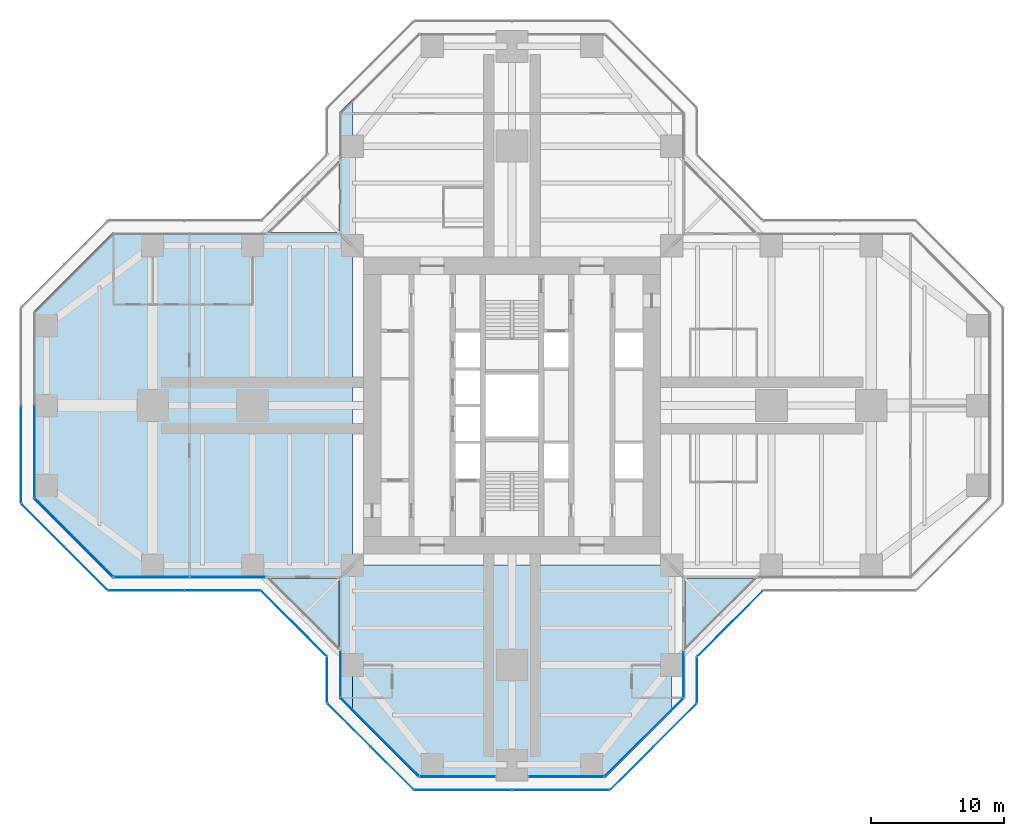
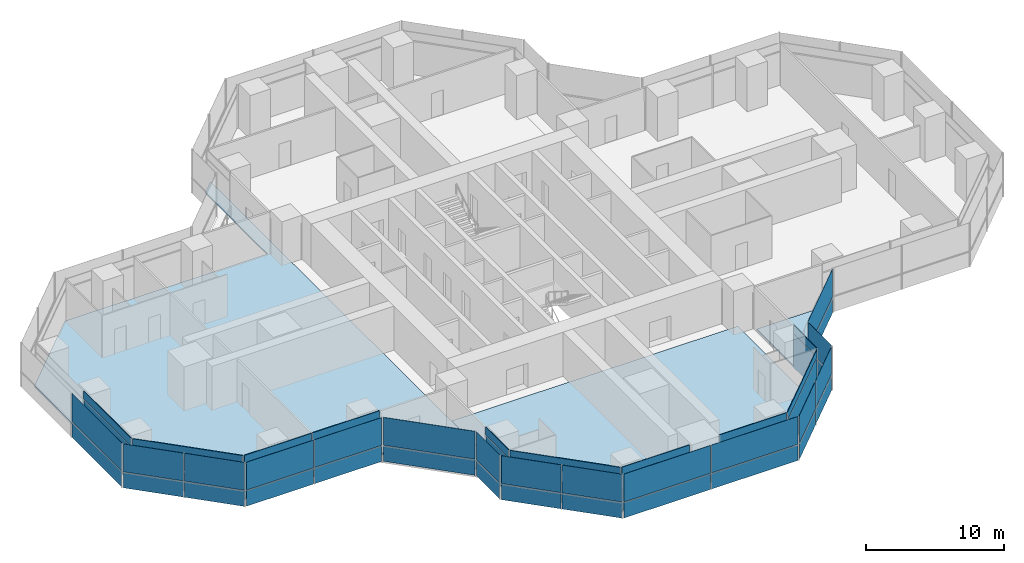
# One storey, part 12 of 19: 50 plates, 4 slabs, 19 elements without a shape of their own.
"""IFC4 building model written with IfcOpenShell, lengths in metres."""

from ifc_helpers import new_model, si_unit, direction, frame, origin, origin_2d, place, context, subcontext, project, spatial, polyline, rectangle, outline, extrude, material, layer, layer_set, type_object, element, aggregate, save


model = new_model("IFC4")

# Units and contexts
model_context = context("Model", 3, precision=1e-05, world=origin(), true_north=direction((0.0, 1.0)))
body_context = subcontext(model_context, "Body", "Model", "MODEL_VIEW")
ifc_project = project(units=[si_unit("LENGTHUNIT", "METRE"), si_unit("AREAUNIT", "SQUARE_METRE"), si_unit("VOLUMEUNIT", "CUBIC_METRE"), si_unit("PLANEANGLEUNIT", "RADIAN"), si_unit("MASSUNIT", "GRAM", prefix="KILO")], contexts=[model_context])

# Site, building, storey
site_placement = place(None, origin())
site = spatial("IfcSite", under=ifc_project, at=site_placement, CompositionType="ELEMENT")
building_placement = place(site_placement, origin())
building = spatial("IfcBuilding", under=site, at=building_placement, Name="Mizan Broadcast Tower", CompositionType="ELEMENT")
storey_placement = place(building_placement, frame((0.0, 0.0, 167.10009765625)))
storey = spatial("IfcBuildingStorey", under=building, at=storey_placement, Name="L38", CompositionType="ELEMENT", Elevation=167.10009765625)

# Slabs
ifc_material_1 = material(Name="Concrete C32/40", Category="concrete")
ifc_layer_1 = layer(ifc_material_1, 0.1298828125)
ifc_layer_set_1 = layer_set([ifc_layer_1], Name="Concrete C32/40")
slab_type_1 = type_object("IfcSlabType", Name="COMPOSITE DECK SLAB 130", PredefinedType="FLOOR", material=ifc_layer_set_1)
slab_1_placement = place(storey_placement, frame((0.0, 0.0, -0.130126953125)))
element("IfcSlab", 1, at=slab_1_placement, inside=storey, type_object=slab_type_1, Name="Floor slab L38 west arm", PredefinedType="FLOOR", context=body_context, shape_type="SweptSolid", body=[
    extrude(outline(polyline([(-13.0, -22.0), (-12.0, -23.0), (-12.0, 23.0), (-13.0, 22.0), (-13.0, 13.0), (-30.0, 13.0), (-36.0, 7.0), (-36.0, -7.0), (-30.0, -13.0), (-13.0, -13.0), (-13.0, -22.0)])), origin(), (0.0, 0.0, 1.0), 0.130126953125),
])
slab_2_placement = place(storey_placement, frame((0.0, 0.0, -0.130126953125)))
element("IfcSlab", 2, at=slab_2_placement, inside=storey, type_object=slab_type_1, Name="Floor slab L38 south arm", PredefinedType="FLOOR", context=body_context, shape_type="SweptSolid", body=[
    extrude(outline(polyline([(7.0, -28.0), (12.0, -23.0), (12.0, -12.0), (-12.0, -12.0), (-12.0, -23.0), (-7.0, -28.0), (7.0, -28.0)])), origin(), (0.0, 0.0, 1.0), 0.130126953125),
])

# Curtain wall, plate
ifc_material_2 = material(Name="Aluminium framed glazing", Category="aluminium")
curtain_wall_type_1 = type_object("IfcCurtainWallType", Name="INNER SKIN MID ZONE", PredefinedType="USERDEFINED", material=ifc_material_2)
curtain_wall_1_placement = place(storey_placement, origin())
curtain_wall_1 = element("IfcCurtainWall", 3, at=curtain_wall_1_placement, inside=storey, type_object=curtain_wall_type_1, Name="Inner skin mid zone L38 W end", ObjectType="INNER SKIN MID ZONE", PredefinedType="USERDEFINED")
ifc_material_3 = material(Name="Double glazing, clear low-e", Category="glass")
ifc_layer_2 = layer(ifc_material_3, 0.028076171875)
ifc_layer_set_2 = layer_set([ifc_layer_2], Name="Double glazing, clear low-e")
plate_type_1 = type_object("IfcPlateType", Name="INNER SKIN GLAZING UNIT", PredefinedType="CURTAIN_PANEL", material=ifc_layer_set_2)
plate_1_placement = place(storey_placement, frame((-35.89990234375, -3.46435546875, 0.0), z_axis=(0.0, 0.0, 1.0), x_axis=(0.0, -1.0, 0.0)))
plate_1 = element("IfcPlate", 4, at=plate_1_placement, type_object=plate_type_1, Name="Inner skin mid zone L38 W end panel 2.1", PredefinedType="CURTAIN_PANEL", context=body_context, shape_type="SweptSolid", body=[
    extrude(rectangle(XDim=6.86865234375, YDim=0.028076171875, at=origin_2d()), origin(), (0.0, 0.0, 1.0), 3.0),
])

curtain_wall_2_placement = place(storey_placement, origin())
curtain_wall_2 = element("IfcCurtainWall", 5, at=curtain_wall_2_placement, inside=storey, type_object=curtain_wall_type_1, Name="Inner skin mid zone L38 W chamfer", ObjectType="INNER SKIN MID ZONE", PredefinedType="USERDEFINED")
plate_2_placement = place(storey_placement, frame((-32.92919921875, -9.92919921875, 0.0), z_axis=(0.0, 0.0, 1.0), x_axis=(0.707106781187, -0.707106781187, 0.0)))
plate_2 = element("IfcPlate", 6, at=plate_2_placement, type_object=plate_type_1, Name="Inner skin mid zone L38 W chamfer panel 1.1", PredefinedType="CURTAIN_PANEL", context=body_context, shape_type="SweptSolid", body=[
    extrude(rectangle(XDim=8.282470703125, YDim=0.028076171875, at=origin_2d()), origin(), (0.0, 0.0, 1.0), 3.0),
])

# Curtain wall, plates
curtain_wall_3_placement = place(storey_placement, origin())
curtain_wall_3 = element("IfcCurtainWall", 7, at=curtain_wall_3_placement, inside=storey, type_object=curtain_wall_type_1, Name="Inner skin mid zone L38 W side", ObjectType="INNER SKIN MID ZONE", PredefinedType="USERDEFINED")
plate_3_placement = place(storey_placement, frame((-27.078857421875, -12.89990234375, 0.0), z_axis=(0.0, 0.0, 1.0), x_axis=(1.0, 0.0, 0.0)))
plate_3 = element("IfcPlate", 8, at=plate_3_placement, type_object=plate_type_1, Name="Inner skin mid zone L38 W side panel 1.1", PredefinedType="CURTAIN_PANEL", context=body_context, shape_type="SweptSolid", body=[
    extrude(rectangle(XDim=5.639404296875, YDim=0.028076171875, at=origin_2d()), origin(), (0.0, 0.0, 1.0), 3.0),
])
plate_4_placement = place(storey_placement, frame((-21.379638671875, -12.89990234375, 0.0), z_axis=(0.0, 0.0, 1.0), x_axis=(1.0, 0.0, 0.0)))
plate_4 = element("IfcPlate", 9, at=plate_4_placement, type_object=plate_type_1, Name="Inner skin mid zone L38 W side panel 2.1", PredefinedType="CURTAIN_PANEL", context=body_context, shape_type="SweptSolid", body=[
    extrude(rectangle(XDim=5.639404296875, YDim=0.028076171875, at=origin_2d()), origin(), (0.0, 0.0, 1.0), 3.0),
])

# Curtain wall, plate
curtain_wall_4_placement = place(storey_placement, origin())
curtain_wall_4 = element("IfcCurtainWall", 10, at=curtain_wall_4_placement, inside=storey, type_object=curtain_wall_type_1, Name="Inner skin mid zone L38 S side", ObjectType="INNER SKIN MID ZONE", PredefinedType="USERDEFINED")
plate_5_placement = place(storey_placement, frame((-12.89990234375, -20.229248046875, 0.0), z_axis=(0.0, 0.0, 1.0), x_axis=(0.0, -1.0, 0.0)))
plate_5 = element("IfcPlate", 11, at=plate_5_placement, type_object=plate_type_1, Name="Inner skin mid zone L38 S side panel 1.1", PredefinedType="CURTAIN_PANEL", context=body_context, shape_type="SweptSolid", body=[
    extrude(rectangle(XDim=3.338623046875, YDim=0.028076171875, at=origin_2d()), origin(), (0.0, 0.0, 1.0), 3.0),
])

curtain_wall_5_placement = place(storey_placement, origin())
curtain_wall_5 = element("IfcCurtainWall", 12, at=curtain_wall_5_placement, inside=storey, type_object=curtain_wall_type_1, Name="Inner skin mid zone L38 S chamfer", ObjectType="INNER SKIN MID ZONE", PredefinedType="USERDEFINED")
plate_6_placement = place(storey_placement, frame((-9.92919921875, -24.92919921875, 0.0), z_axis=(0.0, 0.0, 1.0), x_axis=(0.707106781187, -0.707106781187, 0.0)))
plate_6 = element("IfcPlate", 13, at=plate_6_placement, type_object=plate_type_1, Name="Inner skin mid zone L38 S chamfer panel 1.1", PredefinedType="CURTAIN_PANEL", context=body_context, shape_type="SweptSolid", body=[
    extrude(rectangle(XDim=8.282470703125, YDim=0.028076171875, at=origin_2d()), origin(), (0.0, 0.0, 1.0), 3.0),
])

curtain_wall_6_placement = place(storey_placement, origin())
curtain_wall_6 = element("IfcCurtainWall", 14, at=curtain_wall_6_placement, inside=storey, type_object=curtain_wall_type_1, Name="Inner skin mid zone L38 S end", ObjectType="INNER SKIN MID ZONE", PredefinedType="USERDEFINED")
plate_7_placement = place(storey_placement, frame((-4.079345703125, -27.89990234375, 0.0), z_axis=(0.0, 0.0, 1.0), x_axis=(1.0, 0.0, 0.0)))
plate_7 = element("IfcPlate", 15, at=plate_7_placement, type_object=plate_type_1, Name="Inner skin mid zone L38 S end panel 1.1", PredefinedType="CURTAIN_PANEL", context=body_context, shape_type="SweptSolid", body=[
    extrude(rectangle(XDim=5.638671875, YDim=0.028076171875, at=origin_2d()), origin(), (0.0, 0.0, 1.0), 3.0),
])

curtain_wall_7_placement = place(storey_placement, origin())
curtain_wall_7 = element("IfcCurtainWall", 16, at=curtain_wall_7_placement, inside=storey, type_object=curtain_wall_type_1, Name="Inner skin mid zone L38 S end", ObjectType="INNER SKIN MID ZONE", PredefinedType="USERDEFINED")
plate_8_placement = place(storey_placement, frame((4.079345703125, -27.89990234375, 0.0), z_axis=(0.0, 0.0, 1.0), x_axis=(1.0, 0.0, 0.0)))
plate_8 = element("IfcPlate", 17, at=plate_8_placement, type_object=plate_type_1, Name="Inner skin mid zone L38 S end panel 1.1", PredefinedType="CURTAIN_PANEL", context=body_context, shape_type="SweptSolid", body=[
    extrude(rectangle(XDim=5.638671875, YDim=0.028076171875, at=origin_2d()), origin(), (0.0, 0.0, 1.0), 3.0),
])

curtain_wall_8_placement = place(storey_placement, origin())
curtain_wall_8 = element("IfcCurtainWall", 18, at=curtain_wall_8_placement, inside=storey, type_object=curtain_wall_type_1, Name="Inner skin mid zone L38 S chamfer", ObjectType="INNER SKIN MID ZONE", PredefinedType="USERDEFINED")
plate_9_placement = place(storey_placement, frame((9.92919921875, -24.92919921875, 0.0), z_axis=(0.0, 0.0, 1.0), x_axis=(0.707106781187, 0.707106781187, 0.0)))
plate_9 = element("IfcPlate", 19, at=plate_9_placement, type_object=plate_type_1, Name="Inner skin mid zone L38 S chamfer panel 1.1", PredefinedType="CURTAIN_PANEL", context=body_context, shape_type="SweptSolid", body=[
    extrude(rectangle(XDim=8.282470703125, YDim=0.028076171875, at=origin_2d()), origin(), (0.0, 0.0, 1.0), 3.0),
])

curtain_wall_9_placement = place(storey_placement, origin())
curtain_wall_9 = element("IfcCurtainWall", 20, at=curtain_wall_9_placement, inside=storey, type_object=curtain_wall_type_1, Name="Inner skin mid zone L38 S side", ObjectType="INNER SKIN MID ZONE", PredefinedType="USERDEFINED")
plate_10_placement = place(storey_placement, frame((12.89990234375, -20.229248046875, 0.0), z_axis=(0.0, 0.0, 1.0), x_axis=(0.0, 1.0, 0.0)))
plate_10 = element("IfcPlate", 21, at=plate_10_placement, type_object=plate_type_1, Name="Inner skin mid zone L38 S side panel 1.1", PredefinedType="CURTAIN_PANEL", context=body_context, shape_type="SweptSolid", body=[
    extrude(rectangle(XDim=3.338623046875, YDim=0.028076171875, at=origin_2d()), origin(), (0.0, 0.0, 1.0), 3.0),
])

# Plate
ifc_material_4 = material(Name="Insulated aluminium spandrel panel, pale anodised", Category="aluminium")
ifc_layer_3 = layer(ifc_material_4, 0.050048828125)
ifc_layer_set_3 = layer_set([ifc_layer_3], Name="Insulated aluminium spandrel panel, pale anodised")
plate_type_2 = type_object("IfcPlateType", Name="INNER SKIN SPANDREL PANEL", PredefinedType="CURTAIN_PANEL", material=ifc_layer_set_3)
plate_11_placement = place(storey_placement, frame((-35.89990234375, -3.46435546875, 3.059814453125), z_axis=(0.0, 0.0, 1.0), x_axis=(0.0, -1.0, 0.0)))
plate_11 = element("IfcPlate", 22, at=plate_11_placement, type_object=plate_type_2, Name="Inner skin mid zone L38 W end panel 2.2", PredefinedType="CURTAIN_PANEL", context=body_context, shape_type="SweptSolid", body=[
    extrude(rectangle(XDim=6.86865234375, YDim=0.050048828125, at=origin_2d()), origin(), (0.0, 0.0, 1.0), 0.7099609375),
])

aggregate(curtain_wall_1, [plate_1, plate_11])

plate_12_placement = place(storey_placement, frame((-32.92919921875, -9.92919921875, 3.059814453125), z_axis=(0.0, 0.0, 1.0), x_axis=(0.707106781187, -0.707106781187, 0.0)))
plate_12 = element("IfcPlate", 23, at=plate_12_placement, type_object=plate_type_2, Name="Inner skin mid zone L38 W chamfer panel 1.2", PredefinedType="CURTAIN_PANEL", context=body_context, shape_type="SweptSolid", body=[
    extrude(rectangle(XDim=8.282470703125, YDim=0.050048828125, at=origin_2d()), origin(), (0.0, 0.0, 1.0), 0.7099609375),
])

aggregate(curtain_wall_2, [plate_2, plate_12])

plate_13_placement = place(storey_placement, frame((-27.078857421875, -12.89990234375, 3.059814453125), z_axis=(0.0, 0.0, 1.0), x_axis=(1.0, 0.0, 0.0)))
plate_13 = element("IfcPlate", 24, at=plate_13_placement, type_object=plate_type_2, Name="Inner skin mid zone L38 W side panel 1.2", PredefinedType="CURTAIN_PANEL", context=body_context, shape_type="SweptSolid", body=[
    extrude(rectangle(XDim=5.639404296875, YDim=0.050048828125, at=origin_2d()), origin(), (0.0, 0.0, 1.0), 0.7099609375),
])

plate_14_placement = place(storey_placement, frame((-21.379638671875, -12.89990234375, 3.059814453125), z_axis=(0.0, 0.0, 1.0), x_axis=(1.0, 0.0, 0.0)))
plate_14 = element("IfcPlate", 25, at=plate_14_placement, type_object=plate_type_2, Name="Inner skin mid zone L38 W side panel 2.2", PredefinedType="CURTAIN_PANEL", context=body_context, shape_type="SweptSolid", body=[
    extrude(rectangle(XDim=5.639404296875, YDim=0.050048828125, at=origin_2d()), origin(), (0.0, 0.0, 1.0), 0.7099609375),
])

aggregate(curtain_wall_3, [plate_3, plate_13, plate_4, plate_14])

plate_15_placement = place(storey_placement, frame((-12.89990234375, -20.229248046875, 3.059814453125), z_axis=(0.0, 0.0, 1.0), x_axis=(0.0, -1.0, 0.0)))
plate_15 = element("IfcPlate", 26, at=plate_15_placement, type_object=plate_type_2, Name="Inner skin mid zone L38 S side panel 1.2", PredefinedType="CURTAIN_PANEL", context=body_context, shape_type="SweptSolid", body=[
    extrude(rectangle(XDim=3.338623046875, YDim=0.050048828125, at=origin_2d()), origin(), (0.0, 0.0, 1.0), 0.7099609375),
])

aggregate(curtain_wall_4, [plate_5, plate_15])

plate_16_placement = place(storey_placement, frame((-9.92919921875, -24.92919921875, 3.059814453125), z_axis=(0.0, 0.0, 1.0), x_axis=(0.707106781187, -0.707106781187, 0.0)))
plate_16 = element("IfcPlate", 27, at=plate_16_placement, type_object=plate_type_2, Name="Inner skin mid zone L38 S chamfer panel 1.2", PredefinedType="CURTAIN_PANEL", context=body_context, shape_type="SweptSolid", body=[
    extrude(rectangle(XDim=8.282470703125, YDim=0.050048828125, at=origin_2d()), origin(), (0.0, 0.0, 1.0), 0.7099609375),
])

aggregate(curtain_wall_5, [plate_6, plate_16])

plate_17_placement = place(storey_placement, frame((-4.079345703125, -27.89990234375, 3.059814453125), z_axis=(0.0, 0.0, 1.0), x_axis=(1.0, 0.0, 0.0)))
plate_17 = element("IfcPlate", 28, at=plate_17_placement, type_object=plate_type_2, Name="Inner skin mid zone L38 S end panel 1.2", PredefinedType="CURTAIN_PANEL", context=body_context, shape_type="SweptSolid", body=[
    extrude(rectangle(XDim=5.638671875, YDim=0.050048828125, at=origin_2d()), origin(), (0.0, 0.0, 1.0), 0.7099609375),
])

aggregate(curtain_wall_6, [plate_7, plate_17])

plate_18_placement = place(storey_placement, frame((4.079345703125, -27.89990234375, 3.059814453125), z_axis=(0.0, 0.0, 1.0), x_axis=(1.0, 0.0, 0.0)))
plate_18 = element("IfcPlate", 29, at=plate_18_placement, type_object=plate_type_2, Name="Inner skin mid zone L38 S end panel 1.2", PredefinedType="CURTAIN_PANEL", context=body_context, shape_type="SweptSolid", body=[
    extrude(rectangle(XDim=5.638671875, YDim=0.050048828125, at=origin_2d()), origin(), (0.0, 0.0, 1.0), 0.7099609375),
])

aggregate(curtain_wall_7, [plate_8, plate_18])

plate_19_placement = place(storey_placement, frame((9.92919921875, -24.92919921875, 3.059814453125), z_axis=(0.0, 0.0, 1.0), x_axis=(0.707106781187, 0.707106781187, 0.0)))
plate_19 = element("IfcPlate", 30, at=plate_19_placement, type_object=plate_type_2, Name="Inner skin mid zone L38 S chamfer panel 1.2", PredefinedType="CURTAIN_PANEL", context=body_context, shape_type="SweptSolid", body=[
    extrude(rectangle(XDim=8.282470703125, YDim=0.050048828125, at=origin_2d()), origin(), (0.0, 0.0, 1.0), 0.7099609375),
])

aggregate(curtain_wall_8, [plate_9, plate_19])

plate_20_placement = place(storey_placement, frame((12.89990234375, -20.229248046875, 3.059814453125), z_axis=(0.0, 0.0, 1.0), x_axis=(0.0, 1.0, 0.0)))
plate_20 = element("IfcPlate", 31, at=plate_20_placement, type_object=plate_type_2, Name="Inner skin mid zone L38 S side panel 1.2", PredefinedType="CURTAIN_PANEL", context=body_context, shape_type="SweptSolid", body=[
    extrude(rectangle(XDim=3.338623046875, YDim=0.050048828125, at=origin_2d()), origin(), (0.0, 0.0, 1.0), 0.7099609375),
])

aggregate(curtain_wall_9, [plate_10, plate_20])

# Curtain wall, plates
ifc_material_5 = material(Name="Aluminium framed glazing", Category="aluminium")
curtain_wall_type_2 = type_object("IfcCurtainWallType", Name="OUTER SKIN", PredefinedType="USERDEFINED", material=ifc_material_5)
curtain_wall_10_placement = place(storey_placement, origin())
curtain_wall_10 = element("IfcCurtainWall", 32, at=curtain_wall_10_placement, inside=storey, type_object=curtain_wall_type_2, Name="Outer skin L38 W chamfer", ObjectType="OUTER SKIN", PredefinedType="USERDEFINED")
ifc_material_6 = material(Name="Laminated clear glass", Category="glass")
ifc_layer_4 = layer(ifc_material_6, 0.02001953125)
ifc_layer_set_4 = layer_set([ifc_layer_4], Name="Laminated clear glass")
plate_type_3 = type_object("IfcPlateType", Name="OUTER SKIN CLEAR GLASS", PredefinedType="CURTAIN_PANEL", material=ifc_layer_set_4)
plate_21_placement = place(storey_placement, frame((-35.254150390625, -9.018798828125, -0.000244140625), z_axis=(0.0, 0.0, 1.0), x_axis=(0.707106781187, -0.707106781187, 0.0)))
plate_21 = element("IfcPlate", 33, at=plate_21_placement, type_object=plate_type_3, Name="Outer skin L38 W chamfer panel 1.1", PredefinedType="CURTAIN_PANEL", context=body_context, shape_type="SweptSolid", body=[
    extrude(rectangle(XDim=4.495361328125, YDim=0.02001953125, at=origin_2d()), origin(), (0.0, 0.0, 1.0), 1.3701171875),
])
plate_22_placement = place(storey_placement, frame((-35.254150390625, -9.018798828125, 1.4296875), z_axis=(0.0, 0.0, 1.0), x_axis=(0.707106781187, -0.707106781187, 0.0)))
plate_22 = element("IfcPlate", 34, at=plate_22_placement, type_object=plate_type_3, Name="Outer skin L38 W chamfer panel 1.2", PredefinedType="CURTAIN_PANEL", context=body_context, shape_type="SweptSolid", body=[
    extrude(rectangle(XDim=4.495361328125, YDim=0.02001953125, at=origin_2d()), origin(), (0.0, 0.0, 1.0), 2.469970703125),
])

curtain_wall_11_placement = place(storey_placement, origin())
curtain_wall_11 = element("IfcCurtainWall", 35, at=curtain_wall_11_placement, inside=storey, type_object=curtain_wall_type_2, Name="Outer skin L38 W side", ObjectType="OUTER SKIN", PredefinedType="USERDEFINED")
plate_23_placement = place(storey_placement, frame((-27.477783203125, -13.89990234375, -0.000244140625), z_axis=(0.0, 0.0, 1.0), x_axis=(1.0, 0.0, 0.0)))
plate_23 = element("IfcPlate", 36, at=plate_23_placement, type_object=plate_type_3, Name="Outer skin L38 W side panel 1.1", PredefinedType="CURTAIN_PANEL", context=body_context, shape_type="SweptSolid", body=[
    extrude(rectangle(XDim=5.6298828125, YDim=0.02001953125, at=origin_2d()), origin(), (0.0, 0.0, 1.0), 1.3701171875),
])
plate_24_placement = place(storey_placement, frame((-27.477783203125, -13.89990234375, 1.4296875), z_axis=(0.0, 0.0, 1.0), x_axis=(1.0, 0.0, 0.0)))
plate_24 = element("IfcPlate", 37, at=plate_24_placement, type_object=plate_type_3, Name="Outer skin L38 W side panel 1.2", PredefinedType="CURTAIN_PANEL", context=body_context, shape_type="SweptSolid", body=[
    extrude(rectangle(XDim=5.6298828125, YDim=0.02001953125, at=origin_2d()), origin(), (0.0, 0.0, 1.0), 2.469970703125),
])

curtain_wall_12_placement = place(storey_placement, origin())
curtain_wall_12 = element("IfcCurtainWall", 38, at=curtain_wall_12_placement, inside=storey, type_object=curtain_wall_type_2, Name="Outer skin L38 W chamfer", ObjectType="OUTER SKIN", PredefinedType="USERDEFINED")
plate_25_placement = place(storey_placement, frame((-16.386474609375, -16.386474609375, -0.000244140625), z_axis=(0.0, 0.0, 1.0), x_axis=(0.707106781187, -0.707106781187, 0.0)))
plate_25 = element("IfcPlate", 39, at=plate_25_placement, type_object=plate_type_3, Name="Outer skin L38 W chamfer panel 1.1", PredefinedType="CURTAIN_PANEL", context=body_context, shape_type="SweptSolid", body=[
    extrude(rectangle(XDim=6.87255859375, YDim=0.02001953125, at=origin_2d()), origin(), (0.0, 0.0, 1.0), 1.3701171875),
])
plate_26_placement = place(storey_placement, frame((-16.386474609375, -16.386474609375, 1.4296875), z_axis=(0.0, 0.0, 1.0), x_axis=(0.707106781187, -0.707106781187, 0.0)))
plate_26 = element("IfcPlate", 40, at=plate_26_placement, type_object=plate_type_3, Name="Outer skin L38 W chamfer panel 1.2", PredefinedType="CURTAIN_PANEL", context=body_context, shape_type="SweptSolid", body=[
    extrude(rectangle(XDim=6.87255859375, YDim=0.02001953125, at=origin_2d()), origin(), (0.0, 0.0, 1.0), 2.469970703125),
])
aggregate(curtain_wall_12, [plate_25, plate_26])

curtain_wall_13_placement = place(storey_placement, origin())
curtain_wall_13 = element("IfcCurtainWall", 41, at=curtain_wall_13_placement, inside=storey, type_object=curtain_wall_type_2, Name="Outer skin L38 S side", ObjectType="OUTER SKIN", PredefinedType="USERDEFINED")
plate_27_placement = place(storey_placement, frame((-13.89990234375, -20.622802734375, -0.000244140625), z_axis=(0.0, 0.0, 1.0), x_axis=(0.0, -1.0, 0.0)))
plate_27 = element("IfcPlate", 42, at=plate_27_placement, type_object=plate_type_3, Name="Outer skin L38 S side panel 1.1", PredefinedType="CURTAIN_PANEL", context=body_context, shape_type="SweptSolid", body=[
    extrude(rectangle(XDim=3.340087890625, YDim=0.02001953125, at=origin_2d()), origin(), (0.0, 0.0, 1.0), 1.3701171875),
])
plate_28_placement = place(storey_placement, frame((-13.89990234375, -20.622802734375, 1.4296875), z_axis=(0.0, 0.0, 1.0), x_axis=(0.0, -1.0, 0.0)))
plate_28 = element("IfcPlate", 43, at=plate_28_placement, type_object=plate_type_3, Name="Outer skin L38 S side panel 1.2", PredefinedType="CURTAIN_PANEL", context=body_context, shape_type="SweptSolid", body=[
    extrude(rectangle(XDim=3.340087890625, YDim=0.02001953125, at=origin_2d()), origin(), (0.0, 0.0, 1.0), 2.469970703125),
])
aggregate(curtain_wall_13, [plate_27, plate_28])

curtain_wall_14_placement = place(storey_placement, origin())
curtain_wall_14 = element("IfcCurtainWall", 44, at=curtain_wall_14_placement, inside=storey, type_object=curtain_wall_type_2, Name="Outer skin L38 S chamfer", ObjectType="OUTER SKIN", PredefinedType="USERDEFINED")
plate_29_placement = place(storey_placement, frame((-12.254150390625, -24.018798828125, -0.000244140625), z_axis=(0.0, 0.0, 1.0), x_axis=(0.707106781187, -0.707106781187, 0.0)))
plate_29 = element("IfcPlate", 45, at=plate_29_placement, type_object=plate_type_3, Name="Outer skin L38 S chamfer panel 1.1", PredefinedType="CURTAIN_PANEL", context=body_context, shape_type="SweptSolid", body=[
    extrude(rectangle(XDim=4.495361328125, YDim=0.02001953125, at=origin_2d()), origin(), (0.0, 0.0, 1.0), 1.3701171875),
])
plate_30_placement = place(storey_placement, frame((-12.254150390625, -24.018798828125, 1.4296875), z_axis=(0.0, 0.0, 1.0), x_axis=(0.707106781187, -0.707106781187, 0.0)))
plate_30 = element("IfcPlate", 46, at=plate_30_placement, type_object=plate_type_3, Name="Outer skin L38 S chamfer panel 1.2", PredefinedType="CURTAIN_PANEL", context=body_context, shape_type="SweptSolid", body=[
    extrude(rectangle(XDim=4.495361328125, YDim=0.02001953125, at=origin_2d()), origin(), (0.0, 0.0, 1.0), 2.469970703125),
])

curtain_wall_15_placement = place(storey_placement, origin())
curtain_wall_15 = element("IfcCurtainWall", 47, at=curtain_wall_15_placement, inside=storey, type_object=curtain_wall_type_2, Name="Outer skin L38 S end", ObjectType="OUTER SKIN", PredefinedType="USERDEFINED")
plate_31_placement = place(storey_placement, frame((-3.66650390625, -28.89990234375, -0.000244140625), z_axis=(0.0, 0.0, 1.0), x_axis=(1.0, 0.0, 0.0)))
plate_31 = element("IfcPlate", 48, at=plate_31_placement, type_object=plate_type_3, Name="Outer skin L38 S end panel 1.1", PredefinedType="CURTAIN_PANEL", context=body_context, shape_type="SweptSolid", body=[
    extrude(rectangle(XDim=7.252685546875, YDim=0.02001953125, at=origin_2d()), origin(), (0.0, 0.0, 1.0), 1.3701171875),
])
plate_32_placement = place(storey_placement, frame((-3.66650390625, -28.89990234375, 1.4296875), z_axis=(0.0, 0.0, 1.0), x_axis=(1.0, 0.0, 0.0)))
plate_32 = element("IfcPlate", 49, at=plate_32_placement, type_object=plate_type_3, Name="Outer skin L38 S end panel 1.2", PredefinedType="CURTAIN_PANEL", context=body_context, shape_type="SweptSolid", body=[
    extrude(rectangle(XDim=7.252685546875, YDim=0.02001953125, at=origin_2d()), origin(), (0.0, 0.0, 1.0), 2.469970703125),
])

curtain_wall_16_placement = place(storey_placement, origin())
curtain_wall_16 = element("IfcCurtainWall", 50, at=curtain_wall_16_placement, inside=storey, type_object=curtain_wall_type_2, Name="Outer skin L38 S chamfer", ObjectType="OUTER SKIN", PredefinedType="USERDEFINED")
plate_33_placement = place(storey_placement, frame((9.018798828125, -27.254150390625, -0.000244140625), z_axis=(0.0, 0.0, 1.0), x_axis=(0.707106781187, 0.707106781187, 0.0)))
plate_33 = element("IfcPlate", 51, at=plate_33_placement, type_object=plate_type_3, Name="Outer skin L38 S chamfer panel 1.1", PredefinedType="CURTAIN_PANEL", context=body_context, shape_type="SweptSolid", body=[
    extrude(rectangle(XDim=4.495361328125, YDim=0.02001953125, at=origin_2d()), origin(), (0.0, 0.0, 1.0), 1.3701171875),
])
plate_34_placement = place(storey_placement, frame((9.018798828125, -27.254150390625, 1.4296875), z_axis=(0.0, 0.0, 1.0), x_axis=(0.707106781187, 0.707106781187, 0.0)))
plate_34 = element("IfcPlate", 52, at=plate_34_placement, type_object=plate_type_3, Name="Outer skin L38 S chamfer panel 1.2", PredefinedType="CURTAIN_PANEL", context=body_context, shape_type="SweptSolid", body=[
    extrude(rectangle(XDim=4.495361328125, YDim=0.02001953125, at=origin_2d()), origin(), (0.0, 0.0, 1.0), 2.469970703125),
])

curtain_wall_17_placement = place(storey_placement, origin())
curtain_wall_17 = element("IfcCurtainWall", 53, at=curtain_wall_17_placement, inside=storey, type_object=curtain_wall_type_2, Name="Outer skin L38 S side", ObjectType="OUTER SKIN", PredefinedType="USERDEFINED")
plate_35_placement = place(storey_placement, frame((13.89990234375, -20.622802734375, -0.000244140625), z_axis=(0.0, 0.0, 1.0), x_axis=(0.0, 1.0, 0.0)))
plate_35 = element("IfcPlate", 54, at=plate_35_placement, type_object=plate_type_3, Name="Outer skin L38 S side panel 1.1", PredefinedType="CURTAIN_PANEL", context=body_context, shape_type="SweptSolid", body=[
    extrude(rectangle(XDim=3.340087890625, YDim=0.02001953125, at=origin_2d()), origin(), (0.0, 0.0, 1.0), 1.3701171875),
])
plate_36_placement = place(storey_placement, frame((13.89990234375, -20.622802734375, 1.4296875), z_axis=(0.0, 0.0, 1.0), x_axis=(0.0, 1.0, 0.0)))
plate_36 = element("IfcPlate", 55, at=plate_36_placement, type_object=plate_type_3, Name="Outer skin L38 S side panel 1.2", PredefinedType="CURTAIN_PANEL", context=body_context, shape_type="SweptSolid", body=[
    extrude(rectangle(XDim=3.340087890625, YDim=0.02001953125, at=origin_2d()), origin(), (0.0, 0.0, 1.0), 2.469970703125),
])
aggregate(curtain_wall_17, [plate_35, plate_36])

curtain_wall_18_placement = place(storey_placement, origin())
curtain_wall_18 = element("IfcCurtainWall", 56, at=curtain_wall_18_placement, inside=storey, type_object=curtain_wall_type_2, Name="Outer skin L38 E chamfer", ObjectType="OUTER SKIN", PredefinedType="USERDEFINED")
plate_37_placement = place(storey_placement, frame((16.386474609375, -16.386474609375, -0.000244140625), z_axis=(0.0, 0.0, 1.0), x_axis=(0.707106781187, 0.707106781187, 0.0)))
plate_37 = element("IfcPlate", 57, at=plate_37_placement, type_object=plate_type_3, Name="Outer skin L38 E chamfer panel 1.1", PredefinedType="CURTAIN_PANEL", context=body_context, shape_type="SweptSolid", body=[
    extrude(rectangle(XDim=6.87255859375, YDim=0.02001953125, at=origin_2d()), origin(), (0.0, 0.0, 1.0), 1.3701171875),
])
plate_38_placement = place(storey_placement, frame((16.386474609375, -16.386474609375, 1.4296875), z_axis=(0.0, 0.0, 1.0), x_axis=(0.707106781187, 0.707106781187, 0.0)))
plate_38 = element("IfcPlate", 58, at=plate_38_placement, type_object=plate_type_3, Name="Outer skin L38 E chamfer panel 1.2", PredefinedType="CURTAIN_PANEL", context=body_context, shape_type="SweptSolid", body=[
    extrude(rectangle(XDim=6.87255859375, YDim=0.02001953125, at=origin_2d()), origin(), (0.0, 0.0, 1.0), 2.469970703125),
])
aggregate(curtain_wall_18, [plate_37, plate_38])

curtain_wall_19_placement = place(storey_placement, origin())
curtain_wall_19 = element("IfcCurtainWall", 59, at=curtain_wall_19_placement, inside=storey, type_object=curtain_wall_type_2, Name="Outer skin L38 W end", ObjectType="OUTER SKIN", PredefinedType="USERDEFINED")
ifc_material_7 = material(Name="Perforated aluminium, pale anodised", Category="aluminium")
ifc_layer_5 = layer(ifc_material_7, 0.011962890625)
ifc_layer_set_5 = layer_set([ifc_layer_5], Name="Perforated aluminium, pale anodised")
plate_type_4 = type_object("IfcPlateType", Name="OUTER SKIN PERFORATED SCREEN", PredefinedType="USERDEFINED", material=ifc_layer_set_5)
plate_39_placement = place(storey_placement, frame((-36.89990234375, -3.66650390625, -0.000244140625), z_axis=(0.0, 0.0, 1.0), x_axis=(0.0, -1.0, 0.0)))
plate_39 = element("IfcPlate", 60, at=plate_39_placement, type_object=plate_type_4, Name="Outer skin L38 W end panel 2.1", ObjectType="SCREEN", PredefinedType="USERDEFINED", context=body_context, shape_type="SweptSolid", body=[
    extrude(rectangle(XDim=7.252685546875, YDim=0.011962890625, at=origin_2d()), origin(), (0.0, 0.0, 1.0), 1.3701171875),
])
plate_40_placement = place(storey_placement, frame((-36.89990234375, -3.66650390625, 1.4296875), z_axis=(0.0, 0.0, 1.0), x_axis=(0.0, -1.0, 0.0)))
plate_40 = element("IfcPlate", 61, at=plate_40_placement, type_object=plate_type_4, Name="Outer skin L38 W end panel 2.2", ObjectType="SCREEN", PredefinedType="USERDEFINED", context=body_context, shape_type="SweptSolid", body=[
    extrude(rectangle(XDim=7.252685546875, YDim=0.011962890625, at=origin_2d()), origin(), (0.0, 0.0, 1.0), 2.469970703125),
])
aggregate(curtain_wall_19, [plate_39, plate_40])

# Plate
plate_41_placement = place(storey_placement, frame((-32.018798828125, -12.254150390625, -0.000244140625), z_axis=(0.0, 0.0, 1.0), x_axis=(0.707106781187, -0.707106781187, 0.0)))
plate_41 = element("IfcPlate", 62, at=plate_41_placement, type_object=plate_type_4, Name="Outer skin L38 W chamfer panel 2.1", ObjectType="SCREEN", PredefinedType="USERDEFINED", context=body_context, shape_type="SweptSolid", body=[
    extrude(rectangle(XDim=4.495361328125, YDim=0.011962890625, at=origin_2d()), origin(), (0.0, 0.0, 1.0), 1.3701171875),
])

plate_42_placement = place(storey_placement, frame((-32.018798828125, -12.254150390625, 1.4296875), z_axis=(0.0, 0.0, 1.0), x_axis=(0.707106781187, -0.707106781187, 0.0)))
plate_42 = element("IfcPlate", 63, at=plate_42_placement, type_object=plate_type_4, Name="Outer skin L38 W chamfer panel 2.2", ObjectType="SCREEN", PredefinedType="USERDEFINED", context=body_context, shape_type="SweptSolid", body=[
    extrude(rectangle(XDim=4.495361328125, YDim=0.011962890625, at=origin_2d()), origin(), (0.0, 0.0, 1.0), 2.469970703125),
])

aggregate(curtain_wall_10, [plate_21, plate_22, plate_41, plate_42])

plate_43_placement = place(storey_placement, frame((-21.767822265625, -13.89990234375, -0.000244140625), z_axis=(0.0, 0.0, 1.0), x_axis=(1.0, 0.0, 0.0)))
plate_43 = element("IfcPlate", 64, at=plate_43_placement, type_object=plate_type_4, Name="Outer skin L38 W side panel 2.1", ObjectType="SCREEN", PredefinedType="USERDEFINED", context=body_context, shape_type="SweptSolid", body=[
    extrude(rectangle(XDim=5.6298828125, YDim=0.011962890625, at=origin_2d()), origin(), (0.0, 0.0, 1.0), 1.3701171875),
])

plate_44_placement = place(storey_placement, frame((-21.767822265625, -13.89990234375, 1.4296875), z_axis=(0.0, 0.0, 1.0), x_axis=(1.0, 0.0, 0.0)))
plate_44 = element("IfcPlate", 65, at=plate_44_placement, type_object=plate_type_4, Name="Outer skin L38 W side panel 2.2", ObjectType="SCREEN", PredefinedType="USERDEFINED", context=body_context, shape_type="SweptSolid", body=[
    extrude(rectangle(XDim=5.6298828125, YDim=0.011962890625, at=origin_2d()), origin(), (0.0, 0.0, 1.0), 2.469970703125),
])

aggregate(curtain_wall_11, [plate_23, plate_24, plate_43, plate_44])

plate_45_placement = place(storey_placement, frame((-9.018798828125, -27.254150390625, -0.000244140625), z_axis=(0.0, 0.0, 1.0), x_axis=(0.707106781187, -0.707106781187, 0.0)))
plate_45 = element("IfcPlate", 66, at=plate_45_placement, type_object=plate_type_4, Name="Outer skin L38 S chamfer panel 2.1", ObjectType="SCREEN", PredefinedType="USERDEFINED", context=body_context, shape_type="SweptSolid", body=[
    extrude(rectangle(XDim=4.495361328125, YDim=0.011962890625, at=origin_2d()), origin(), (0.0, 0.0, 1.0), 1.3701171875),
])

plate_46_placement = place(storey_placement, frame((-9.018798828125, -27.254150390625, 1.4296875), z_axis=(0.0, 0.0, 1.0), x_axis=(0.707106781187, -0.707106781187, 0.0)))
plate_46 = element("IfcPlate", 67, at=plate_46_placement, type_object=plate_type_4, Name="Outer skin L38 S chamfer panel 2.2", ObjectType="SCREEN", PredefinedType="USERDEFINED", context=body_context, shape_type="SweptSolid", body=[
    extrude(rectangle(XDim=4.495361328125, YDim=0.011962890625, at=origin_2d()), origin(), (0.0, 0.0, 1.0), 2.469970703125),
])

aggregate(curtain_wall_14, [plate_29, plate_30, plate_45, plate_46])

plate_47_placement = place(storey_placement, frame((3.66650390625, -28.89990234375, -0.000244140625), z_axis=(0.0, 0.0, 1.0), x_axis=(1.0, 0.0, 0.0)))
plate_47 = element("IfcPlate", 68, at=plate_47_placement, type_object=plate_type_4, Name="Outer skin L38 S end panel 2.1", ObjectType="SCREEN", PredefinedType="USERDEFINED", context=body_context, shape_type="SweptSolid", body=[
    extrude(rectangle(XDim=7.252685546875, YDim=0.011962890625, at=origin_2d()), origin(), (0.0, 0.0, 1.0), 1.3701171875),
])

plate_48_placement = place(storey_placement, frame((3.66650390625, -28.89990234375, 1.4296875), z_axis=(0.0, 0.0, 1.0), x_axis=(1.0, 0.0, 0.0)))
plate_48 = element("IfcPlate", 69, at=plate_48_placement, type_object=plate_type_4, Name="Outer skin L38 S end panel 2.2", ObjectType="SCREEN", PredefinedType="USERDEFINED", context=body_context, shape_type="SweptSolid", body=[
    extrude(rectangle(XDim=7.252685546875, YDim=0.011962890625, at=origin_2d()), origin(), (0.0, 0.0, 1.0), 2.469970703125),
])

aggregate(curtain_wall_15, [plate_31, plate_32, plate_47, plate_48])

plate_49_placement = place(storey_placement, frame((12.254150390625, -24.018798828125, -0.000244140625), z_axis=(0.0, 0.0, 1.0), x_axis=(0.707106781187, 0.707106781187, 0.0)))
plate_49 = element("IfcPlate", 70, at=plate_49_placement, type_object=plate_type_4, Name="Outer skin L38 S chamfer panel 2.1", ObjectType="SCREEN", PredefinedType="USERDEFINED", context=body_context, shape_type="SweptSolid", body=[
    extrude(rectangle(XDim=4.495361328125, YDim=0.011962890625, at=origin_2d()), origin(), (0.0, 0.0, 1.0), 1.3701171875),
])

plate_50_placement = place(storey_placement, frame((12.254150390625, -24.018798828125, 1.4296875), z_axis=(0.0, 0.0, 1.0), x_axis=(0.707106781187, 0.707106781187, 0.0)))
plate_50 = element("IfcPlate", 71, at=plate_50_placement, type_object=plate_type_4, Name="Outer skin L38 S chamfer panel 2.2", ObjectType="SCREEN", PredefinedType="USERDEFINED", context=body_context, shape_type="SweptSolid", body=[
    extrude(rectangle(XDim=4.495361328125, YDim=0.011962890625, at=origin_2d()), origin(), (0.0, 0.0, 1.0), 2.469970703125),
])

aggregate(curtain_wall_16, [plate_33, plate_34, plate_49, plate_50])

# Slabs
ifc_material_8 = material(Name="Concrete C32/40", Category="concrete")
ifc_layer_6 = layer(ifc_material_8, 0.1298828125)
ifc_layer_set_6 = layer_set([ifc_layer_6], Name="Concrete C32/40")
slab_type_2 = type_object("IfcSlabType", Name="WINTER GARDEN SLAB 130", PredefinedType="FLOOR", material=ifc_layer_set_6)
slab_3_placement = place(storey_placement, frame((0.0, 0.0, -0.130126953125)))
element("IfcSlab", 72, at=slab_3_placement, inside=storey, type_object=slab_type_2, Name="Winter garden slab L38 W", PredefinedType="FLOOR", context=body_context, shape_type="SweptSolid", body=[
    extrude(outline(polyline([(-13.0, -13.0), (-18.5, -13.0), (-13.0, -18.5), (-13.0, -13.0)])), origin(), (0.0, 0.0, 1.0), 0.130126953125),
])
slab_4_placement = place(storey_placement, frame((0.0, 0.0, -0.130126953125)))
element("IfcSlab", 73, at=slab_4_placement, inside=storey, type_object=slab_type_2, Name="Winter garden slab L38 S", PredefinedType="FLOOR", context=body_context, shape_type="SweptSolid", body=[
    extrude(outline(polyline([(13.0, -13.0), (13.0, -18.5), (18.5, -13.0), (13.0, -13.0)])), origin(), (0.0, 0.0, 1.0), 0.130126953125),
])

save(model, "model.ifc")
